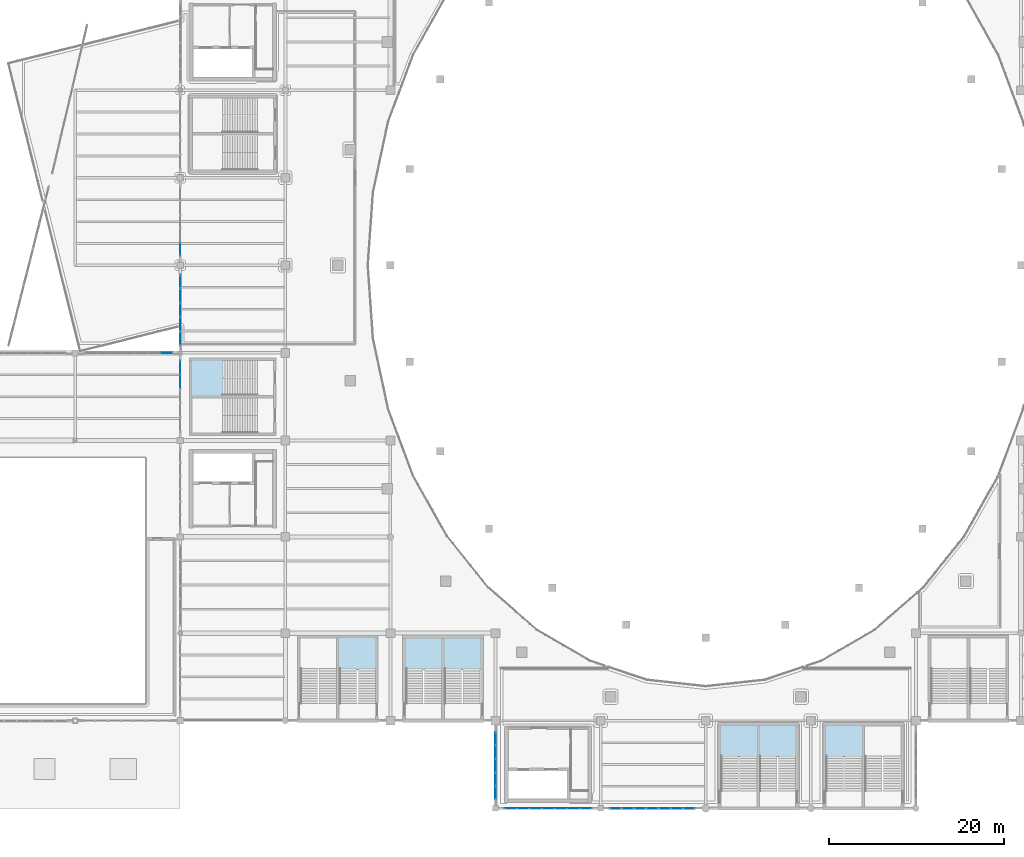
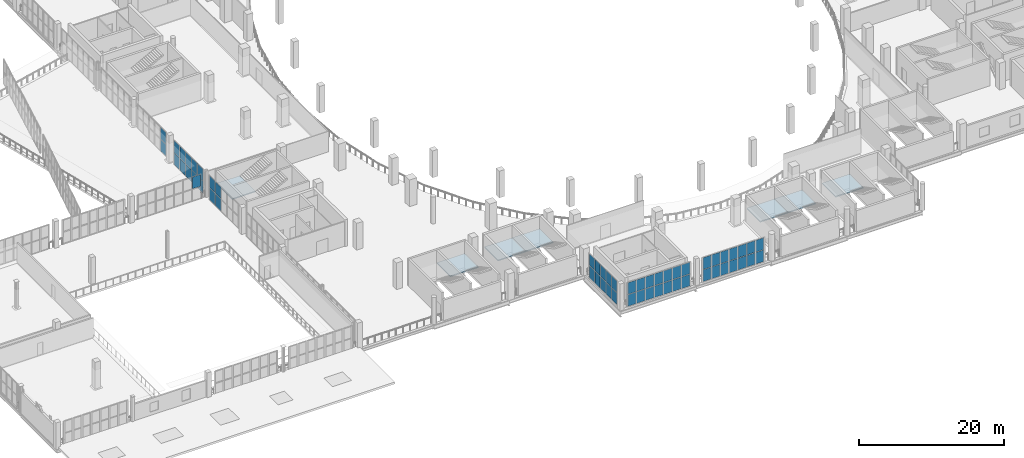
# One storey, part 69 of 108: 55 plates, 7 slabs, 14 elements without a shape of their own.
"""IFC4 building model written with IfcOpenShell, lengths in metres."""

from ifc_helpers import new_model, si_unit, direction, frame, origin, origin_2d, place, context, subcontext, project, spatial, polyline, rectangle, outline, extrude, material, layer, layer_set, type_object, element, aggregate, save


model = new_model("IFC4")

# Units and contexts
model_context = context("Model", 3, precision=1e-05, world=origin(), true_north=direction((0.0, 1.0)))
body_context = subcontext(model_context, "Body", "Model", "MODEL_VIEW")
ifc_project = project(units=[si_unit("LENGTHUNIT", "METRE"), si_unit("AREAUNIT", "SQUARE_METRE"), si_unit("VOLUMEUNIT", "CUBIC_METRE"), si_unit("PLANEANGLEUNIT", "RADIAN"), si_unit("MASSUNIT", "GRAM", prefix="KILO")], contexts=[model_context])

# Site, building, storey
site_placement = place(None, origin())
site = spatial("IfcSite", under=ifc_project, at=site_placement, CompositionType="ELEMENT")
building_placement = place(site_placement, origin())
building = spatial("IfcBuilding", under=site, at=building_placement, Name="Brinegate Civic Arena", CompositionType="ELEMENT")
storey_placement = place(building_placement, frame((0.0, 0.0, 10.199951171875)))
storey = spatial("IfcBuildingStorey", under=building, at=storey_placement, Name="L02", CompositionType="ELEMENT", Elevation=10.199951171875)

# Curtain wall, plate
ifc_material_1 = material(Name="Marine grade aluminium", Category="aluminium")
ifc_layer_1 = layer(ifc_material_1, 0.18505859375, Name="Marine grade aluminium")
ifc_layer_set_1 = layer_set([ifc_layer_1], Name="Marine grade aluminium")
curtain_wall_type_1 = type_object("IfcCurtainWallType", Name="CW-WING-GLAZED-03", PredefinedType="USERDEFINED", material=ifc_layer_set_1)
curtain_wall_1_placement = place(storey_placement, origin())
curtain_wall_1 = element("IfcCurtainWall", 1, at=curtain_wall_1_placement, inside=storey, type_object=curtain_wall_type_1, Name="Curtain Wall CWA-026", ObjectType="GLAZED CURTAIN WALL", PredefinedType="USERDEFINED")
ifc_material_2 = material(Name="Hurricane laminated low-E glass", Category="glass")
ifc_layer_2 = layer(ifc_material_2, 0.028076171875, Name="Hurricane laminated low-E glass")
ifc_layer_set_2 = layer_set([ifc_layer_2], Name="Hurricane laminated low-E glass")
plate_type_1 = type_object("IfcPlateType", Name="CW-PANEL-GLAZED-28", PredefinedType="CURTAIN_PANEL", material=ifc_layer_set_2)
plate_1_placement = place(storey_placement, frame((46.427734375, 52.0, 2.107421875), z_axis=(0.0, 0.0, 1.0), x_axis=(1.0, 0.0, 0.0)))
plate_1 = element("IfcPlate", 2, at=plate_1_placement, type_object=plate_type_1, Name="CWA-026 panel 7.2", PredefinedType="CURTAIN_PANEL", context=body_context, shape_type="SweptSolid", body=[
    extrude(rectangle(XDim=1.348388671875, YDim=0.028076171875, at=origin_2d()), origin(), (0.0, 0.0, 1.0), 1.9775390625),
])
aggregate(curtain_wall_1, [plate_1])

# Curtain wall, plates
ifc_layer_3 = layer(ifc_material_1, 0.199951171875, Name="Marine grade aluminium")
ifc_layer_set_3 = layer_set([ifc_layer_3], Name="Marine grade aluminium")
curtain_wall_type_2 = type_object("IfcCurtainWallType", Name="CW-BOWL-GLAZED-01", PredefinedType="USERDEFINED", material=ifc_layer_set_3)
curtain_wall_2_placement = place(storey_placement, origin())
curtain_wall_2 = element("IfcCurtainWall", 3, at=curtain_wall_2_placement, inside=storey, type_object=curtain_wall_type_2, Name="Curtain Wall CWA-081", ObjectType="GLAZED CURTAIN WALL", PredefinedType="USERDEFINED")
ifc_layer_4 = layer(ifc_material_2, 0.031982421875, Name="Hurricane laminated low-E glass")
ifc_layer_set_4 = layer_set([ifc_layer_4], Name="Hurricane laminated low-E glass")
plate_type_2 = type_object("IfcPlateType", Name="CW-PANEL-GLAZED-32", PredefinedType="CURTAIN_PANEL", material=ifc_layer_set_4)
plate_2_placement = place(storey_placement, frame((48.0, 48.73046875, 0.06494140625), z_axis=(0.0, 0.0, 1.0), x_axis=(0.0, 1.0, 0.0)))
plate_2 = element("IfcPlate", 4, at=plate_2_placement, type_object=plate_type_2, Name="CWA-081 panel 4.1", PredefinedType="CURTAIN_PANEL", context=body_context, shape_type="SweptSolid", body=[
    extrude(rectangle(XDim=1.559326171875, YDim=0.031982421875, at=origin_2d()), origin(), (0.0, 0.0, 1.0), 1.9775390625),
])
plate_3_placement = place(storey_placement, frame((48.0, 48.73046875, 2.107421875), z_axis=(0.0, 0.0, 1.0), x_axis=(0.0, 1.0, 0.0)))
plate_3 = element("IfcPlate", 5, at=plate_3_placement, type_object=plate_type_2, Name="CWA-081 panel 4.2", PredefinedType="CURTAIN_PANEL", context=body_context, shape_type="SweptSolid", body=[
    extrude(rectangle(XDim=1.559326171875, YDim=0.031982421875, at=origin_2d()), origin(), (0.0, 0.0, 1.0), 1.9775390625),
])
plate_4_placement = place(storey_placement, frame((48.0, 50.338623046875, 0.06494140625), z_axis=(0.0, 0.0, 1.0), x_axis=(0.0, 1.0, 0.0)))
plate_4 = element("IfcPlate", 6, at=plate_4_placement, type_object=plate_type_2, Name="CWA-081 panel 5.1", PredefinedType="CURTAIN_PANEL", context=body_context, shape_type="SweptSolid", body=[
    extrude(rectangle(XDim=1.52685546875, YDim=0.031982421875, at=origin_2d()), origin(), (0.0, 0.0, 1.0), 1.9775390625),
])
plate_5_placement = place(storey_placement, frame((48.0, 50.338623046875, 2.107421875), z_axis=(0.0, 0.0, 1.0), x_axis=(0.0, 1.0, 0.0)))
plate_5 = element("IfcPlate", 7, at=plate_5_placement, type_object=plate_type_2, Name="CWA-081 panel 5.2", PredefinedType="CURTAIN_PANEL", context=body_context, shape_type="SweptSolid", body=[
    extrude(rectangle(XDim=1.52685546875, YDim=0.031982421875, at=origin_2d()), origin(), (0.0, 0.0, 1.0), 1.9775390625),
])
aggregate(curtain_wall_2, [plate_2, plate_3, plate_4, plate_5])

curtain_wall_3_placement = place(storey_placement, origin())
curtain_wall_3 = element("IfcCurtainWall", 8, at=curtain_wall_3_placement, inside=storey, type_object=curtain_wall_type_2, Name="Curtain Wall CWA-085", ObjectType="GLAZED CURTAIN WALL", PredefinedType="USERDEFINED")
plate_6_placement = place(storey_placement, frame((48.0, 63.852294921875, 0.0751953125), z_axis=(0.0, 0.0, 1.0), x_axis=(0.0, 1.0, 0.0)))
plate_6 = element("IfcPlate", 9, at=plate_6_placement, type_object=plate_type_2, Name="CWA-085 panel 1.1", PredefinedType="CURTAIN_PANEL", context=body_context, shape_type="SweptSolid", body=[
    extrude(rectangle(XDim=1.484619140625, YDim=0.031982421875, at=origin_2d()), origin(), (0.0, 0.0, 1.0), 1.96240234375),
])
plate_7_placement = place(storey_placement, frame((48.0, 63.852294921875, 2.112548828125), z_axis=(0.0, 0.0, 1.0), x_axis=(0.0, 1.0, 0.0)))
plate_7 = element("IfcPlate", 10, at=plate_7_placement, type_object=plate_type_2, Name="CWA-085 panel 1.2", PredefinedType="CURTAIN_PANEL", context=body_context, shape_type="SweptSolid", body=[
    extrude(rectangle(XDim=1.484619140625, YDim=0.031982421875, at=origin_2d()), origin(), (0.0, 0.0, 1.0), 1.96240234375),
])
aggregate(curtain_wall_3, [plate_6, plate_7])

ifc_layer_5 = layer(ifc_material_1, 0.25, Name="Marine grade aluminium")
ifc_layer_set_5 = layer_set([ifc_layer_5], Name="Marine grade aluminium")
curtain_wall_type_3 = type_object("IfcCurtainWallType", Name="CW-PORTAL-SOUTH-02", PredefinedType="USERDEFINED", material=ifc_layer_set_5)
curtain_wall_4_placement = place(storey_placement, origin())
curtain_wall_4 = element("IfcCurtainWall", 11, at=curtain_wall_4_placement, inside=storey, type_object=curtain_wall_type_3, Name="Curtain Wall CWA-097", ObjectType="PORTAL CURTAIN WALL", PredefinedType="USERDEFINED")
plate_8_placement = place(storey_placement, frame((85.74169921875, 0.0, 0.0751953125), z_axis=(0.0, 0.0, 1.0), x_axis=(1.0, 0.0, 0.0)))
plate_8 = element("IfcPlate", 12, at=plate_8_placement, type_object=plate_type_2, Name="CWA-097 panel 1.1", PredefinedType="CURTAIN_PANEL", context=body_context, shape_type="SweptSolid", body=[
    extrude(rectangle(XDim=1.333251953125, YDim=0.031982421875, at=origin_2d()), origin(), (0.0, 0.0, 1.0), 1.96240234375),
])
plate_9_placement = place(storey_placement, frame((85.74169921875, 0.0, 2.112548828125), z_axis=(0.0, 0.0, 1.0), x_axis=(1.0, 0.0, 0.0)))
plate_9 = element("IfcPlate", 13, at=plate_9_placement, type_object=plate_type_2, Name="CWA-097 panel 1.2", PredefinedType="CURTAIN_PANEL", context=body_context, shape_type="SweptSolid", body=[
    extrude(rectangle(XDim=1.333251953125, YDim=0.031982421875, at=origin_2d()), origin(), (0.0, 0.0, 1.0), 1.96240234375),
])
plate_10_placement = place(storey_placement, frame((87.15625, 0.0, 0.0751953125), z_axis=(0.0, 0.0, 1.0), x_axis=(1.0, 0.0, 0.0)))
plate_10 = element("IfcPlate", 14, at=plate_10_placement, type_object=plate_type_2, Name="CWA-097 panel 2.1", PredefinedType="CURTAIN_PANEL", context=body_context, shape_type="SweptSolid", body=[
    extrude(rectangle(XDim=1.365966796875, YDim=0.031982421875, at=origin_2d()), origin(), (0.0, 0.0, 1.0), 1.96240234375),
])
plate_11_placement = place(storey_placement, frame((87.15625, 0.0, 2.112548828125), z_axis=(0.0, 0.0, 1.0), x_axis=(1.0, 0.0, 0.0)))
plate_11 = element("IfcPlate", 15, at=plate_11_placement, type_object=plate_type_2, Name="CWA-097 panel 2.2", PredefinedType="CURTAIN_PANEL", context=body_context, shape_type="SweptSolid", body=[
    extrude(rectangle(XDim=1.365966796875, YDim=0.031982421875, at=origin_2d()), origin(), (0.0, 0.0, 1.0), 1.96240234375),
])
plate_12_placement = place(storey_placement, frame((88.587158203125, 0.0, 0.0751953125), z_axis=(0.0, 0.0, 1.0), x_axis=(1.0, 0.0, 0.0)))
plate_12 = element("IfcPlate", 16, at=plate_12_placement, type_object=plate_type_2, Name="CWA-097 panel 3.1", PredefinedType="CURTAIN_PANEL", context=body_context, shape_type="SweptSolid", body=[
    extrude(rectangle(XDim=1.365966796875, YDim=0.031982421875, at=origin_2d()), origin(), (0.0, 0.0, 1.0), 1.96240234375),
])
plate_13_placement = place(storey_placement, frame((88.587158203125, 0.0, 2.112548828125), z_axis=(0.0, 0.0, 1.0), x_axis=(1.0, 0.0, 0.0)))
plate_13 = element("IfcPlate", 17, at=plate_13_placement, type_object=plate_type_2, Name="CWA-097 panel 3.2", PredefinedType="CURTAIN_PANEL", context=body_context, shape_type="SweptSolid", body=[
    extrude(rectangle(XDim=1.365966796875, YDim=0.031982421875, at=origin_2d()), origin(), (0.0, 0.0, 1.0), 1.96240234375),
])
plate_14_placement = place(storey_placement, frame((90.01806640625, 0.0, 0.0751953125), z_axis=(0.0, 0.0, 1.0), x_axis=(1.0, 0.0, 0.0)))
plate_14 = element("IfcPlate", 18, at=plate_14_placement, type_object=plate_type_2, Name="CWA-097 panel 4.1", PredefinedType="CURTAIN_PANEL", context=body_context, shape_type="SweptSolid", body=[
    extrude(rectangle(XDim=1.365966796875, YDim=0.031982421875, at=origin_2d()), origin(), (0.0, 0.0, 1.0), 1.96240234375),
])
plate_15_placement = place(storey_placement, frame((90.01806640625, 0.0, 2.112548828125), z_axis=(0.0, 0.0, 1.0), x_axis=(1.0, 0.0, 0.0)))
plate_15 = element("IfcPlate", 19, at=plate_15_placement, type_object=plate_type_2, Name="CWA-097 panel 4.2", PredefinedType="CURTAIN_PANEL", context=body_context, shape_type="SweptSolid", body=[
    extrude(rectangle(XDim=1.365966796875, YDim=0.031982421875, at=origin_2d()), origin(), (0.0, 0.0, 1.0), 1.96240234375),
])
plate_16_placement = place(storey_placement, frame((91.448974609375, 0.0, 0.0751953125), z_axis=(0.0, 0.0, 1.0), x_axis=(1.0, 0.0, 0.0)))
plate_16 = element("IfcPlate", 20, at=plate_16_placement, type_object=plate_type_2, Name="CWA-097 panel 5.1", PredefinedType="CURTAIN_PANEL", context=body_context, shape_type="SweptSolid", body=[
    extrude(rectangle(XDim=1.365966796875, YDim=0.031982421875, at=origin_2d()), origin(), (0.0, 0.0, 1.0), 1.96240234375),
])
plate_17_placement = place(storey_placement, frame((91.448974609375, 0.0, 2.112548828125), z_axis=(0.0, 0.0, 1.0), x_axis=(1.0, 0.0, 0.0)))
plate_17 = element("IfcPlate", 21, at=plate_17_placement, type_object=plate_type_2, Name="CWA-097 panel 5.2", PredefinedType="CURTAIN_PANEL", context=body_context, shape_type="SweptSolid", body=[
    extrude(rectangle(XDim=1.365966796875, YDim=0.031982421875, at=origin_2d()), origin(), (0.0, 0.0, 1.0), 1.96240234375),
])
plate_18_placement = place(storey_placement, frame((92.879638671875, 0.0, 0.0751953125), z_axis=(0.0, 0.0, 1.0), x_axis=(1.0, 0.0, 0.0)))
plate_18 = element("IfcPlate", 22, at=plate_18_placement, type_object=plate_type_2, Name="CWA-097 panel 6.1", PredefinedType="CURTAIN_PANEL", context=body_context, shape_type="SweptSolid", body=[
    extrude(rectangle(XDim=1.365966796875, YDim=0.031982421875, at=origin_2d()), origin(), (0.0, 0.0, 1.0), 1.96240234375),
])
plate_19_placement = place(storey_placement, frame((92.879638671875, 0.0, 2.112548828125), z_axis=(0.0, 0.0, 1.0), x_axis=(1.0, 0.0, 0.0)))
plate_19 = element("IfcPlate", 23, at=plate_19_placement, type_object=plate_type_2, Name="CWA-097 panel 6.2", PredefinedType="CURTAIN_PANEL", context=body_context, shape_type="SweptSolid", body=[
    extrude(rectangle(XDim=1.365966796875, YDim=0.031982421875, at=origin_2d()), origin(), (0.0, 0.0, 1.0), 1.96240234375),
])
plate_20_placement = place(storey_placement, frame((94.29443359375, 0.0, 0.0751953125), z_axis=(0.0, 0.0, 1.0), x_axis=(1.0, 0.0, 0.0)))
plate_20 = element("IfcPlate", 24, at=plate_20_placement, type_object=plate_type_2, Name="CWA-097 panel 7.1", PredefinedType="CURTAIN_PANEL", context=body_context, shape_type="SweptSolid", body=[
    extrude(rectangle(XDim=1.333251953125, YDim=0.031982421875, at=origin_2d()), origin(), (0.0, 0.0, 1.0), 1.96240234375),
])
plate_21_placement = place(storey_placement, frame((94.29443359375, 0.0, 2.112548828125), z_axis=(0.0, 0.0, 1.0), x_axis=(1.0, 0.0, 0.0)))
plate_21 = element("IfcPlate", 25, at=plate_21_placement, type_object=plate_type_2, Name="CWA-097 panel 7.2", PredefinedType="CURTAIN_PANEL", context=body_context, shape_type="SweptSolid", body=[
    extrude(rectangle(XDim=1.333251953125, YDim=0.031982421875, at=origin_2d()), origin(), (0.0, 0.0, 1.0), 1.96240234375),
])
aggregate(curtain_wall_4, [plate_8, plate_9, plate_10, plate_11, plate_12, plate_13, plate_14, plate_15, plate_16, plate_17, plate_18, plate_19, plate_20, plate_21])

curtain_wall_5_placement = place(storey_placement, origin())
curtain_wall_5 = element("IfcCurtainWall", 26, at=curtain_wall_5_placement, inside=storey, type_object=curtain_wall_type_3, Name="Curtain Wall CWA-102", ObjectType="PORTAL CURTAIN WALL", PredefinedType="USERDEFINED")
ifc_layer_6 = layer(ifc_material_2, 0.035888671875, Name="Hurricane laminated low-E glass")
ifc_layer_set_6 = layer_set([ifc_layer_6], Name="Hurricane laminated low-E glass")
plate_type_3 = type_object("IfcPlateType", Name="CW-PANEL-GLAZED-36", PredefinedType="CURTAIN_PANEL", material=ifc_layer_set_6)
plate_22_placement = place(storey_placement, frame((84.0, 1.802001953125, 0.0751953125), z_axis=(0.0, 0.0, 1.0), x_axis=(0.0, 1.0, 0.0)))
plate_22 = element("IfcPlate", 27, at=plate_22_placement, type_object=plate_type_3, Name="CWA-102 panel 1.1", PredefinedType="CURTAIN_PANEL", context=body_context, shape_type="SweptSolid", body=[
    extrude(rectangle(XDim=1.43408203125, YDim=0.035888671875, at=origin_2d()), origin(), (0.0, 0.0, 1.0), 1.96240234375),
])
plate_23_placement = place(storey_placement, frame((84.0, 1.802001953125, 2.112548828125), z_axis=(0.0, 0.0, 1.0), x_axis=(0.0, 1.0, 0.0)))
plate_23 = element("IfcPlate", 28, at=plate_23_placement, type_object=plate_type_3, Name="CWA-102 panel 1.2", PredefinedType="CURTAIN_PANEL", context=body_context, shape_type="SweptSolid", body=[
    extrude(rectangle(XDim=1.43408203125, YDim=0.035888671875, at=origin_2d()), origin(), (0.0, 0.0, 1.0), 1.96240234375),
])
plate_24_placement = place(storey_placement, frame((84.0, 3.329833984375, 0.0751953125), z_axis=(0.0, 0.0, 1.0), x_axis=(0.0, 1.0, 0.0)))
plate_24 = element("IfcPlate", 29, at=plate_24_placement, type_object=plate_type_3, Name="CWA-102 panel 2.1", PredefinedType="CURTAIN_PANEL", context=body_context, shape_type="SweptSolid", body=[
    extrude(rectangle(XDim=1.4716796875, YDim=0.035888671875, at=origin_2d()), origin(), (0.0, 0.0, 1.0), 1.96240234375),
])
plate_25_placement = place(storey_placement, frame((84.0, 3.329833984375, 2.112548828125), z_axis=(0.0, 0.0, 1.0), x_axis=(0.0, 1.0, 0.0)))
plate_25 = element("IfcPlate", 30, at=plate_25_placement, type_object=plate_type_3, Name="CWA-102 panel 2.2", PredefinedType="CURTAIN_PANEL", context=body_context, shape_type="SweptSolid", body=[
    extrude(rectangle(XDim=1.4716796875, YDim=0.035888671875, at=origin_2d()), origin(), (0.0, 0.0, 1.0), 1.96240234375),
])
plate_26_placement = place(storey_placement, frame((84.0, 4.87646484375, 0.0751953125), z_axis=(0.0, 0.0, 1.0), x_axis=(0.0, 1.0, 0.0)))
plate_26 = element("IfcPlate", 31, at=plate_26_placement, type_object=plate_type_3, Name="CWA-102 panel 3.1", PredefinedType="CURTAIN_PANEL", context=body_context, shape_type="SweptSolid", body=[
    extrude(rectangle(XDim=1.4716796875, YDim=0.035888671875, at=origin_2d()), origin(), (0.0, 0.0, 1.0), 1.96240234375),
])
plate_27_placement = place(storey_placement, frame((84.0, 4.87646484375, 2.112548828125), z_axis=(0.0, 0.0, 1.0), x_axis=(0.0, 1.0, 0.0)))
plate_27 = element("IfcPlate", 32, at=plate_27_placement, type_object=plate_type_3, Name="CWA-102 panel 3.2", PredefinedType="CURTAIN_PANEL", context=body_context, shape_type="SweptSolid", body=[
    extrude(rectangle(XDim=1.4716796875, YDim=0.035888671875, at=origin_2d()), origin(), (0.0, 0.0, 1.0), 1.96240234375),
])
plate_28_placement = place(storey_placement, frame((84.0, 6.423095703125, 0.0751953125), z_axis=(0.0, 0.0, 1.0), x_axis=(0.0, 1.0, 0.0)))
plate_28 = element("IfcPlate", 33, at=plate_28_placement, type_object=plate_type_3, Name="CWA-102 panel 4.1", PredefinedType="CURTAIN_PANEL", context=body_context, shape_type="SweptSolid", body=[
    extrude(rectangle(XDim=1.4716796875, YDim=0.035888671875, at=origin_2d()), origin(), (0.0, 0.0, 1.0), 1.96240234375),
])
plate_29_placement = place(storey_placement, frame((84.0, 6.423095703125, 2.112548828125), z_axis=(0.0, 0.0, 1.0), x_axis=(0.0, 1.0, 0.0)))
plate_29 = element("IfcPlate", 34, at=plate_29_placement, type_object=plate_type_3, Name="CWA-102 panel 4.2", PredefinedType="CURTAIN_PANEL", context=body_context, shape_type="SweptSolid", body=[
    extrude(rectangle(XDim=1.4716796875, YDim=0.035888671875, at=origin_2d()), origin(), (0.0, 0.0, 1.0), 1.96240234375),
])
plate_30_placement = place(storey_placement, frame((84.0, 7.950927734375, 0.0751953125), z_axis=(0.0, 0.0, 1.0), x_axis=(0.0, 1.0, 0.0)))
plate_30 = element("IfcPlate", 35, at=plate_30_placement, type_object=plate_type_3, Name="CWA-102 panel 5.1", PredefinedType="CURTAIN_PANEL", context=body_context, shape_type="SweptSolid", body=[
    extrude(rectangle(XDim=1.43408203125, YDim=0.035888671875, at=origin_2d()), origin(), (0.0, 0.0, 1.0), 1.96240234375),
])
plate_31_placement = place(storey_placement, frame((84.0, 7.950927734375, 2.112548828125), z_axis=(0.0, 0.0, 1.0), x_axis=(0.0, 1.0, 0.0)))
plate_31 = element("IfcPlate", 36, at=plate_31_placement, type_object=plate_type_3, Name="CWA-102 panel 5.2", PredefinedType="CURTAIN_PANEL", context=body_context, shape_type="SweptSolid", body=[
    extrude(rectangle(XDim=1.43408203125, YDim=0.035888671875, at=origin_2d()), origin(), (0.0, 0.0, 1.0), 1.96240234375),
])
aggregate(curtain_wall_5, [plate_22, plate_23, plate_24, plate_25, plate_26, plate_27, plate_28, plate_29, plate_30, plate_31])

curtain_wall_6_placement = place(storey_placement, origin())
curtain_wall_6 = element("IfcCurtainWall", 37, at=curtain_wall_6_placement, inside=storey, type_object=curtain_wall_type_2, Name="Curtain Wall CWA-083", ObjectType="GLAZED CURTAIN WALL", PredefinedType="USERDEFINED")
ifc_layer_7 = layer(ifc_material_2, 0.0419921875, Name="Hurricane laminated low-E glass")
ifc_layer_set_7 = layer_set([ifc_layer_7], Name="Hurricane laminated low-E glass")
plate_type_4 = type_object("IfcPlateType", Name="CW-PANEL-SPANDREL-42", PredefinedType="CURTAIN_PANEL", material=ifc_layer_set_7)
plate_32_placement = place(storey_placement, frame((48.0, 53.665283203125, 0.06494140625), z_axis=(0.0, 0.0, 1.0), x_axis=(0.0, 1.0, 0.0)))
plate_32 = element("IfcPlate", 38, at=plate_32_placement, type_object=plate_type_4, Name="CWA-083 panel 1.1", PredefinedType="CURTAIN_PANEL", context=body_context, shape_type="SweptSolid", body=[
    extrude(rectangle(XDim=1.50439453125, YDim=0.0419921875, at=origin_2d()), origin(), (0.0, 0.0, 1.0), 1.9775390625),
])
plate_33_placement = place(storey_placement, frame((48.0, 53.665283203125, 2.107421875), z_axis=(0.0, 0.0, 1.0), x_axis=(0.0, 1.0, 0.0)))
plate_33 = element("IfcPlate", 39, at=plate_33_placement, type_object=plate_type_4, Name="CWA-083 panel 1.2", PredefinedType="CURTAIN_PANEL", context=body_context, shape_type="SweptSolid", body=[
    extrude(rectangle(XDim=1.50439453125, YDim=0.0419921875, at=origin_2d()), origin(), (0.0, 0.0, 1.0), 1.9775390625),
])
plate_34_placement = place(storey_placement, frame((48.0, 55.26953125, 0.06494140625), z_axis=(0.0, 0.0, 1.0), x_axis=(0.0, 1.0, 0.0)))
plate_34 = element("IfcPlate", 40, at=plate_34_placement, type_object=plate_type_4, Name="CWA-083 panel 2.1", PredefinedType="CURTAIN_PANEL", context=body_context, shape_type="SweptSolid", body=[
    extrude(rectangle(XDim=1.54443359375, YDim=0.0419921875, at=origin_2d()), origin(), (0.0, 0.0, 1.0), 1.9775390625),
])
plate_35_placement = place(storey_placement, frame((48.0, 55.26953125, 2.107421875), z_axis=(0.0, 0.0, 1.0), x_axis=(0.0, 1.0, 0.0)))
plate_35 = element("IfcPlate", 41, at=plate_35_placement, type_object=plate_type_4, Name="CWA-083 panel 2.2", PredefinedType="CURTAIN_PANEL", context=body_context, shape_type="SweptSolid", body=[
    extrude(rectangle(XDim=1.54443359375, YDim=0.0419921875, at=origin_2d()), origin(), (0.0, 0.0, 1.0), 1.9775390625),
])
plate_36_placement = place(storey_placement, frame((48.0, 56.89404296875, 0.06494140625), z_axis=(0.0, 0.0, 1.0), x_axis=(0.0, 1.0, 0.0)))
plate_36 = element("IfcPlate", 42, at=plate_36_placement, type_object=plate_type_4, Name="CWA-083 panel 3.1", PredefinedType="CURTAIN_PANEL", context=body_context, shape_type="SweptSolid", body=[
    extrude(rectangle(XDim=1.54443359375, YDim=0.0419921875, at=origin_2d()), origin(), (0.0, 0.0, 1.0), 1.9775390625),
])
plate_37_placement = place(storey_placement, frame((48.0, 56.89404296875, 2.107421875), z_axis=(0.0, 0.0, 1.0), x_axis=(0.0, 1.0, 0.0)))
plate_37 = element("IfcPlate", 43, at=plate_37_placement, type_object=plate_type_4, Name="CWA-083 panel 3.2", PredefinedType="CURTAIN_PANEL", context=body_context, shape_type="SweptSolid", body=[
    extrude(rectangle(XDim=1.54443359375, YDim=0.0419921875, at=origin_2d()), origin(), (0.0, 0.0, 1.0), 1.9775390625),
])
plate_38_placement = place(storey_placement, frame((48.0, 58.518310546875, 0.06494140625), z_axis=(0.0, 0.0, 1.0), x_axis=(0.0, 1.0, 0.0)))
plate_38 = element("IfcPlate", 44, at=plate_38_placement, type_object=plate_type_4, Name="CWA-083 panel 4.1", PredefinedType="CURTAIN_PANEL", context=body_context, shape_type="SweptSolid", body=[
    extrude(rectangle(XDim=1.54443359375, YDim=0.0419921875, at=origin_2d()), origin(), (0.0, 0.0, 1.0), 1.9775390625),
])
plate_39_placement = place(storey_placement, frame((48.0, 58.518310546875, 2.107421875), z_axis=(0.0, 0.0, 1.0), x_axis=(0.0, 1.0, 0.0)))
plate_39 = element("IfcPlate", 45, at=plate_39_placement, type_object=plate_type_4, Name="CWA-083 panel 4.2", PredefinedType="CURTAIN_PANEL", context=body_context, shape_type="SweptSolid", body=[
    extrude(rectangle(XDim=1.54443359375, YDim=0.0419921875, at=origin_2d()), origin(), (0.0, 0.0, 1.0), 1.9775390625),
])
plate_40_placement = place(storey_placement, frame((48.0, 60.122802734375, 0.06494140625), z_axis=(0.0, 0.0, 1.0), x_axis=(0.0, 1.0, 0.0)))
plate_40 = element("IfcPlate", 46, at=plate_40_placement, type_object=plate_type_4, Name="CWA-083 panel 5.1", PredefinedType="CURTAIN_PANEL", context=body_context, shape_type="SweptSolid", body=[
    extrude(rectangle(XDim=1.50439453125, YDim=0.0419921875, at=origin_2d()), origin(), (0.0, 0.0, 1.0), 1.9775390625),
])
plate_41_placement = place(storey_placement, frame((48.0, 60.122802734375, 2.107421875), z_axis=(0.0, 0.0, 1.0), x_axis=(0.0, 1.0, 0.0)))
plate_41 = element("IfcPlate", 47, at=plate_41_placement, type_object=plate_type_4, Name="CWA-083 panel 5.2", PredefinedType="CURTAIN_PANEL", context=body_context, shape_type="SweptSolid", body=[
    extrude(rectangle(XDim=1.50439453125, YDim=0.0419921875, at=origin_2d()), origin(), (0.0, 0.0, 1.0), 1.9775390625),
])
aggregate(curtain_wall_6, [plate_32, plate_33, plate_34, plate_35, plate_36, plate_37, plate_38, plate_39, plate_40, plate_41])

curtain_wall_7_placement = place(storey_placement, origin())
curtain_wall_7 = element("IfcCurtainWall", 48, at=curtain_wall_7_placement, inside=storey, type_object=curtain_wall_type_3, Name="Curtain Wall CWA-099", ObjectType="PORTAL CURTAIN WALL", PredefinedType="USERDEFINED")
plate_42_placement = place(storey_placement, frame((97.69677734375, 0.0, 0.06494140625), z_axis=(0.0, 0.0, 1.0), x_axis=(1.0, 0.0, 0.0)))
plate_42 = element("IfcPlate", 49, at=plate_42_placement, type_object=plate_type_4, Name="CWA-099 panel 1.1", PredefinedType="CURTAIN_PANEL", context=body_context, shape_type="SweptSolid", body=[
    extrude(rectangle(XDim=1.28564453125, YDim=0.0419921875, at=origin_2d()), origin(), (0.0, 0.0, 1.0), 1.9775390625),
])
plate_43_placement = place(storey_placement, frame((97.69677734375, 0.0, 2.107421875), z_axis=(0.0, 0.0, 1.0), x_axis=(1.0, 0.0, 0.0)))
plate_43 = element("IfcPlate", 50, at=plate_43_placement, type_object=plate_type_4, Name="CWA-099 panel 1.2", PredefinedType="CURTAIN_PANEL", context=body_context, shape_type="SweptSolid", body=[
    extrude(rectangle(XDim=1.28564453125, YDim=0.0419921875, at=origin_2d()), origin(), (0.0, 0.0, 1.0), 1.9775390625),
])
plate_44_placement = place(storey_placement, frame((99.08251953125, 0.0, 0.06494140625), z_axis=(0.0, 0.0, 1.0), x_axis=(1.0, 0.0, 0.0)))
plate_44 = element("IfcPlate", 51, at=plate_44_placement, type_object=plate_type_4, Name="CWA-099 panel 2.1", PredefinedType="CURTAIN_PANEL", context=body_context, shape_type="SweptSolid", body=[
    extrude(rectangle(XDim=1.32568359375, YDim=0.0419921875, at=origin_2d()), origin(), (0.0, 0.0, 1.0), 1.9775390625),
])
plate_45_placement = place(storey_placement, frame((99.08251953125, 0.0, 2.107421875), z_axis=(0.0, 0.0, 1.0), x_axis=(1.0, 0.0, 0.0)))
plate_45 = element("IfcPlate", 52, at=plate_45_placement, type_object=plate_type_4, Name="CWA-099 panel 2.2", PredefinedType="CURTAIN_PANEL", context=body_context, shape_type="SweptSolid", body=[
    extrude(rectangle(XDim=1.32568359375, YDim=0.0419921875, at=origin_2d()), origin(), (0.0, 0.0, 1.0), 1.9775390625),
])
plate_46_placement = place(storey_placement, frame((100.48828125, 0.0, 0.06494140625), z_axis=(0.0, 0.0, 1.0), x_axis=(1.0, 0.0, 0.0)))
plate_46 = element("IfcPlate", 53, at=plate_46_placement, type_object=plate_type_4, Name="CWA-099 panel 3.1", PredefinedType="CURTAIN_PANEL", context=body_context, shape_type="SweptSolid", body=[
    extrude(rectangle(XDim=1.32568359375, YDim=0.0419921875, at=origin_2d()), origin(), (0.0, 0.0, 1.0), 1.9775390625),
])
plate_47_placement = place(storey_placement, frame((100.48828125, 0.0, 2.107421875), z_axis=(0.0, 0.0, 1.0), x_axis=(1.0, 0.0, 0.0)))
plate_47 = element("IfcPlate", 54, at=plate_47_placement, type_object=plate_type_4, Name="CWA-099 panel 3.2", PredefinedType="CURTAIN_PANEL", context=body_context, shape_type="SweptSolid", body=[
    extrude(rectangle(XDim=1.32568359375, YDim=0.0419921875, at=origin_2d()), origin(), (0.0, 0.0, 1.0), 1.9775390625),
])
plate_48_placement = place(storey_placement, frame((101.89404296875, 0.0, 0.06494140625), z_axis=(0.0, 0.0, 1.0), x_axis=(1.0, 0.0, 0.0)))
plate_48 = element("IfcPlate", 55, at=plate_48_placement, type_object=plate_type_4, Name="CWA-099 panel 4.1", PredefinedType="CURTAIN_PANEL", context=body_context, shape_type="SweptSolid", body=[
    extrude(rectangle(XDim=1.32568359375, YDim=0.0419921875, at=origin_2d()), origin(), (0.0, 0.0, 1.0), 1.9775390625),
])
plate_49_placement = place(storey_placement, frame((101.89404296875, 0.0, 2.107421875), z_axis=(0.0, 0.0, 1.0), x_axis=(1.0, 0.0, 0.0)))
plate_49 = element("IfcPlate", 56, at=plate_49_placement, type_object=plate_type_4, Name="CWA-099 panel 4.2", PredefinedType="CURTAIN_PANEL", context=body_context, shape_type="SweptSolid", body=[
    extrude(rectangle(XDim=1.32568359375, YDim=0.0419921875, at=origin_2d()), origin(), (0.0, 0.0, 1.0), 1.9775390625),
])
plate_50_placement = place(storey_placement, frame((103.2998046875, 0.0, 0.06494140625), z_axis=(0.0, 0.0, 1.0), x_axis=(1.0, 0.0, 0.0)))
plate_50 = element("IfcPlate", 57, at=plate_50_placement, type_object=plate_type_4, Name="CWA-099 panel 5.1", PredefinedType="CURTAIN_PANEL", context=body_context, shape_type="SweptSolid", body=[
    extrude(rectangle(XDim=1.32568359375, YDim=0.0419921875, at=origin_2d()), origin(), (0.0, 0.0, 1.0), 1.9775390625),
])
plate_51_placement = place(storey_placement, frame((103.2998046875, 0.0, 2.107421875), z_axis=(0.0, 0.0, 1.0), x_axis=(1.0, 0.0, 0.0)))
plate_51 = element("IfcPlate", 58, at=plate_51_placement, type_object=plate_type_4, Name="CWA-099 panel 5.2", PredefinedType="CURTAIN_PANEL", context=body_context, shape_type="SweptSolid", body=[
    extrude(rectangle(XDim=1.32568359375, YDim=0.0419921875, at=origin_2d()), origin(), (0.0, 0.0, 1.0), 1.9775390625),
])
plate_52_placement = place(storey_placement, frame((104.705322265625, 0.0, 0.06494140625), z_axis=(0.0, 0.0, 1.0), x_axis=(1.0, 0.0, 0.0)))
plate_52 = element("IfcPlate", 59, at=plate_52_placement, type_object=plate_type_4, Name="CWA-099 panel 6.1", PredefinedType="CURTAIN_PANEL", context=body_context, shape_type="SweptSolid", body=[
    extrude(rectangle(XDim=1.32568359375, YDim=0.0419921875, at=origin_2d()), origin(), (0.0, 0.0, 1.0), 1.9775390625),
])
plate_53_placement = place(storey_placement, frame((104.705322265625, 0.0, 2.107421875), z_axis=(0.0, 0.0, 1.0), x_axis=(1.0, 0.0, 0.0)))
plate_53 = element("IfcPlate", 60, at=plate_53_placement, type_object=plate_type_4, Name="CWA-099 panel 6.2", PredefinedType="CURTAIN_PANEL", context=body_context, shape_type="SweptSolid", body=[
    extrude(rectangle(XDim=1.32568359375, YDim=0.0419921875, at=origin_2d()), origin(), (0.0, 0.0, 1.0), 1.9775390625),
])
plate_54_placement = place(storey_placement, frame((106.091064453125, 0.0, 0.06494140625), z_axis=(0.0, 0.0, 1.0), x_axis=(1.0, 0.0, 0.0)))
plate_54 = element("IfcPlate", 61, at=plate_54_placement, type_object=plate_type_4, Name="CWA-099 panel 7.1", PredefinedType="CURTAIN_PANEL", context=body_context, shape_type="SweptSolid", body=[
    extrude(rectangle(XDim=1.28564453125, YDim=0.0419921875, at=origin_2d()), origin(), (0.0, 0.0, 1.0), 1.9775390625),
])
plate_55_placement = place(storey_placement, frame((106.091064453125, 0.0, 2.107421875), z_axis=(0.0, 0.0, 1.0), x_axis=(1.0, 0.0, 0.0)))
plate_55 = element("IfcPlate", 62, at=plate_55_placement, type_object=plate_type_4, Name="CWA-099 panel 7.2", PredefinedType="CURTAIN_PANEL", context=body_context, shape_type="SweptSolid", body=[
    extrude(rectangle(XDim=1.28564453125, YDim=0.0419921875, at=origin_2d()), origin(), (0.0, 0.0, 1.0), 1.9775390625),
])
aggregate(curtain_wall_7, [plate_42, plate_43, plate_44, plate_45, plate_46, plate_47, plate_48, plate_49, plate_50, plate_51, plate_52, plate_53, plate_54, plate_55])

# Stair, slab
ifc_material_3 = material(Name="Concrete C40/50", Category="concrete")
stair_type_1 = type_object("IfcStairType", Name="STAIR-EXIT-3700", PredefinedType="HALF_TURN_STAIR", material=ifc_material_3)
stair_1_placement = place(storey_placement, origin())
stair_1 = element("IfcStair", 63, at=stair_1_placement, inside=storey, type_object=stair_type_1, Name="Protected Exit Stair ST-02B (L02)", PredefinedType="HALF_TURN_STAIR")
ifc_layer_8 = layer(ifc_material_3, 0.179931640625, Name="Concrete C40/50")
ifc_layer_set_8 = layer_set([ifc_layer_8], Name="Concrete C40/50")
slab_type = type_object("IfcSlabType", Name="SLAB-LANDING-180", PredefinedType="LANDING", material=ifc_layer_set_8)
slab_1_placement = place(storey_placement, frame((0.0, 0.0, 2.070068359375)))
slab_1 = element("IfcSlab", 64, at=slab_1_placement, type_object=slab_type, Name="ST-02B landing 1", PredefinedType="LANDING", context=body_context, shape_type="SweptSolid", body=[
    extrude(outline(polyline([(65.9951171875, 15.8798828125), (70.455078125, 15.8798828125), (70.455078125, 19.60009765625), (65.9951171875, 19.60009765625), (65.9951171875, 15.8798828125)])), origin(), (0.0, 0.0, 1.0), 0.179931640625),
])
aggregate(stair_1, [slab_1])

stair_type_2 = type_object("IfcStairType", Name="STAIR-EXIT-3850", PredefinedType="HALF_TURN_STAIR", material=ifc_material_3)
stair_2_placement = place(storey_placement, origin())
stair_2 = element("IfcStair", 65, at=stair_2_placement, inside=storey, type_object=stair_type_2, Name="Protected Exit Stair ST-04A (L02)", PredefinedType="HALF_TURN_STAIR")
slab_2_placement = place(storey_placement, frame((0.0, 0.0, 2.070068359375)))
slab_2 = element("IfcSlab", 66, at=slab_2_placement, type_object=slab_type, Name="ST-04A landing 1", PredefinedType="LANDING", context=body_context, shape_type="SweptSolid", body=[
    extrude(outline(polyline([(121.574951171875, 5.8798828125), (126.0048828125, 5.8798828125), (126.0048828125, 9.60009765625), (121.574951171875, 9.60009765625), (121.574951171875, 5.8798828125)])), origin(), (0.0, 0.0, 1.0), 0.179931640625),
])
aggregate(stair_2, [slab_2])

stair_3_placement = place(storey_placement, origin())
stair_3 = element("IfcStair", 67, at=stair_3_placement, inside=storey, type_object=stair_type_1, Name="Protected Exit Stair ST-08B (L02)", PredefinedType="HALF_TURN_STAIR")
slab_3_placement = place(storey_placement, frame((0.0, 0.0, 2.070068359375)))
slab_3 = element("IfcSlab", 68, at=slab_3_placement, type_object=slab_type, Name="ST-08B landing 1", PredefinedType="LANDING", context=body_context, shape_type="SweptSolid", body=[
    extrude(outline(polyline([(49.199951171875, 46.9951171875), (52.919921875, 46.9951171875), (52.919921875, 51.304931640625), (49.199951171875, 51.304931640625), (49.199951171875, 46.9951171875)])), origin(), (0.0, 0.0, 1.0), 0.179931640625),
])
aggregate(stair_3, [slab_3])

stair_4_placement = place(storey_placement, origin())
stair_4 = element("IfcStair", 69, at=stair_4_placement, inside=storey, type_object=stair_type_2, Name="Protected Exit Stair ST-12A (L02)", PredefinedType="HALF_TURN_STAIR")
slab_4_placement = place(storey_placement, frame((0.0, 0.0, 2.070068359375)))
slab_4 = element("IfcSlab", 70, at=slab_4_placement, type_object=slab_type, Name="ST-12A landing 1", PredefinedType="LANDING", context=body_context, shape_type="SweptSolid", body=[
    extrude(outline(polyline([(73.594970703125, 15.8798828125), (78.0048828125, 15.8798828125), (78.0048828125, 19.60009765625), (73.594970703125, 19.60009765625), (73.594970703125, 15.8798828125)])), origin(), (0.0, 0.0, 1.0), 0.179931640625),
])
aggregate(stair_4, [slab_4])

stair_5_placement = place(storey_placement, origin())
stair_5 = element("IfcStair", 71, at=stair_5_placement, inside=storey, type_object=stair_type_1, Name="Protected Exit Stair ST-12B (L02)", PredefinedType="HALF_TURN_STAIR")
slab_5_placement = place(storey_placement, frame((0.0, 0.0, 2.070068359375)))
slab_5 = element("IfcSlab", 72, at=slab_5_placement, type_object=slab_type, Name="ST-12B landing 1", PredefinedType="LANDING", context=body_context, shape_type="SweptSolid", body=[
    extrude(outline(polyline([(77.9951171875, 15.8798828125), (82.405029296875, 15.8798828125), (82.405029296875, 19.60009765625), (77.9951171875, 19.60009765625), (77.9951171875, 15.8798828125)])), origin(), (0.0, 0.0, 1.0), 0.179931640625),
])
aggregate(stair_5, [slab_5])

stair_6_placement = place(storey_placement, origin())
stair_6 = element("IfcStair", 73, at=stair_6_placement, inside=storey, type_object=stair_type_2, Name="Protected Exit Stair ST-16A (L02)", PredefinedType="HALF_TURN_STAIR")
slab_6_placement = place(storey_placement, frame((0.0, 0.0, 2.070068359375)))
slab_6 = element("IfcSlab", 74, at=slab_6_placement, type_object=slab_type, Name="ST-16A landing 1", PredefinedType="LANDING", context=body_context, shape_type="SweptSolid", body=[
    extrude(outline(polyline([(109.574951171875, 5.8798828125), (114.0048828125, 5.8798828125), (114.0048828125, 9.60009765625), (109.574951171875, 9.60009765625), (109.574951171875, 5.8798828125)])), origin(), (0.0, 0.0, 1.0), 0.179931640625),
])
aggregate(stair_6, [slab_6])

stair_7_placement = place(storey_placement, origin())
stair_7 = element("IfcStair", 75, at=stair_7_placement, inside=storey, type_object=stair_type_1, Name="Protected Exit Stair ST-16B (L02)", PredefinedType="HALF_TURN_STAIR")
slab_7_placement = place(storey_placement, frame((0.0, 0.0, 2.070068359375)))
slab_7 = element("IfcSlab", 76, at=slab_7_placement, type_object=slab_type, Name="ST-16B landing 1", PredefinedType="LANDING", context=body_context, shape_type="SweptSolid", body=[
    extrude(outline(polyline([(113.9951171875, 5.8798828125), (118.425048828125, 5.8798828125), (118.425048828125, 9.60009765625), (113.9951171875, 9.60009765625), (113.9951171875, 5.8798828125)])), origin(), (0.0, 0.0, 1.0), 0.179931640625),
])
aggregate(stair_7, [slab_7])

save(model, "model.ifc")
